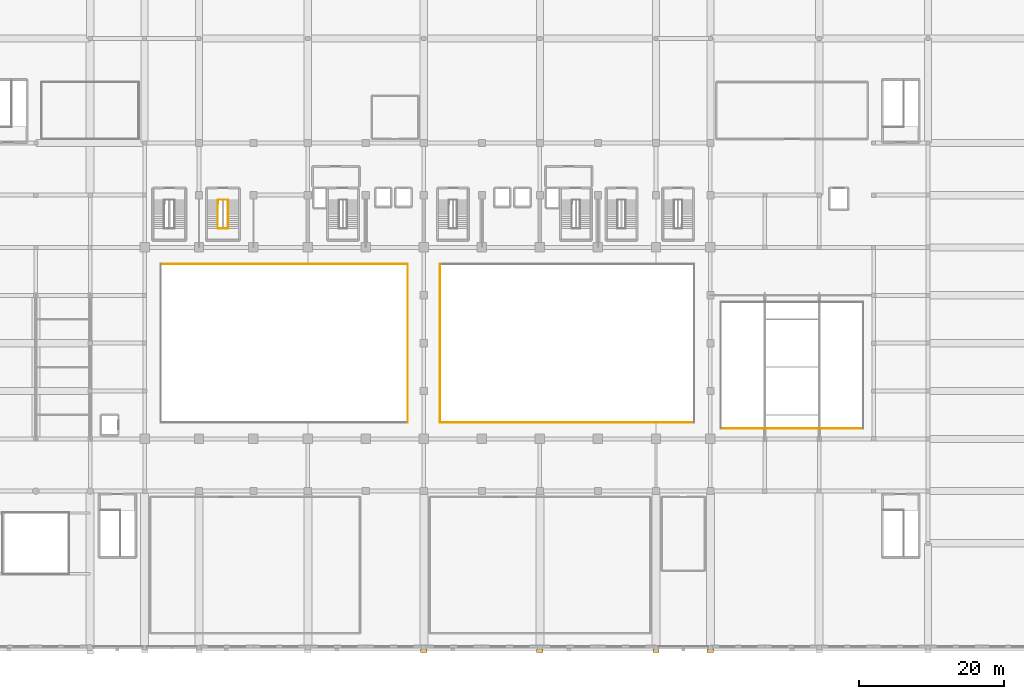
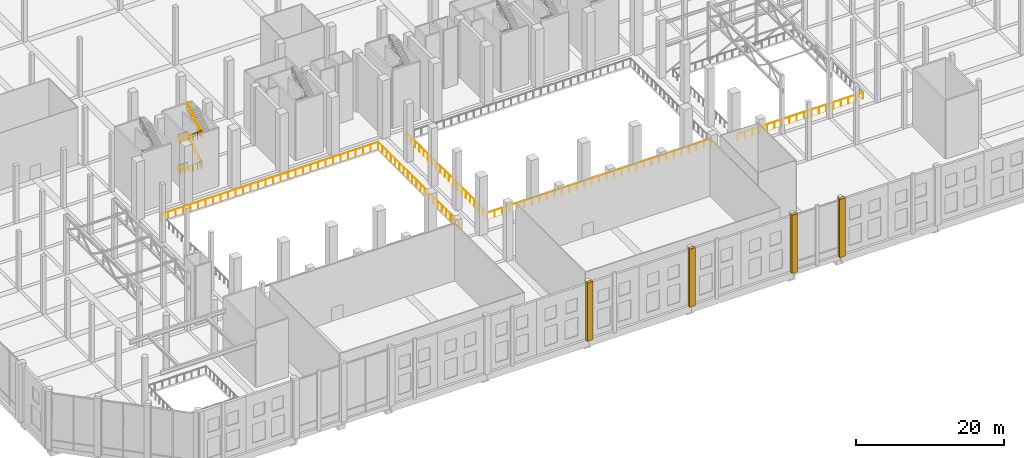
# One storey, part 77 of 80: 13 railings, 4 coverings.
"""IFC4 building model written with IfcOpenShell, lengths in metres."""

from ifc_helpers import new_model, si_unit, direction, frame, origin, origin_2d, place, context, subcontext, project, spatial, rectangle, circle, extrude, material, layer, layer_set, type_object, element, save


model = new_model("IFC4")

# Units and contexts
model_context = context("Model", 3, precision=1e-05, world=origin(), true_north=direction((0.0, 1.0)))
body_context = subcontext(model_context, "Body", "Model", "MODEL_VIEW")
ifc_project = project(units=[si_unit("LENGTHUNIT", "METRE"), si_unit("AREAUNIT", "SQUARE_METRE"), si_unit("VOLUMEUNIT", "CUBIC_METRE"), si_unit("PLANEANGLEUNIT", "RADIAN"), si_unit("MASSUNIT", "GRAM", prefix="KILO")], contexts=[model_context])

# Site, building, storey
site_placement = place(None, origin())
site = spatial("IfcSite", under=ifc_project, at=site_placement, CompositionType="ELEMENT")
building_placement = place(site_placement, origin())
building = spatial("IfcBuilding", under=site, at=building_placement, Name="Akrevak Sports Hall", CompositionType="ELEMENT")
storey_placement = place(building_placement, frame((0.0, 0.0, 14.0)))
storey = spatial("IfcBuildingStorey", under=building, at=storey_placement, Name="L03", CompositionType="ELEMENT", Elevation=14.0)

# Coverings
ifc_material_1 = material(Name="Limestone Ashlar", Category="stone")
ifc_layer_1 = layer(ifc_material_1, 0.47998046875, Name="Limestone Ashlar")
ifc_layer_set_1 = layer_set([ifc_layer_1], Name="Limestone Ashlar")
covering_type = type_object("IfcCoveringType", Name="ARC-COV-PIL-LIM", PredefinedType="CLADDING", material=ifc_layer_set_1)
for number, where, z_axis, x_axis, name in (
    (1, (76.0, -0.449951171875, 0.0), (0.0, 0.0, 1.0), (1.0, 0.0, 0.0), "Giant-Order Limestone Pilaster L03-01-06"),
    (2, (92.0, -0.449951171875, 0.0), (0.0, 0.0, 1.0), (1.0, 0.0, 0.0), "Giant-Order Limestone Pilaster L03-01-07"),
    (3, (108.0, -0.449951171875, 0.0), (0.0, 0.0, 1.0), (1.0, 0.0, 0.0), "Giant-Order Limestone Pilaster L03-01-08"),
    (4, (115.5, -0.425048828125, 0.0), (0.0, 0.0, 1.0), (1.0, 0.0, 0.0), "Giant-Order Limestone Pilaster L03-01-09"),
):
    element("IfcCovering", number, at=place(storey_placement, frame(where, z_axis=z_axis, x_axis=x_axis)), inside=storey, type_object=covering_type, Name=name, PredefinedType="CLADDING", context=body_context, shape_type="SweptSolid", body=[
        extrude(rectangle(XDim=0.8798828125, YDim=0.4599609375, at=origin_2d()), origin(), (0.0, 0.0, 1.0), 9.64990234375),
    ])

# Railings
ifc_material_2 = material(Name="Painted Architectural Balustrade Steel", Category="steel")
ifc_layer_2 = layer(ifc_material_2, 0.06005859375, Name="Painted Architectural Balustrade Steel")
ifc_layer_set_2 = layer_set([ifc_layer_2], Name="Painted Architectural Balustrade Steel")
railing_type_1 = type_object("IfcRailingType", Name="ARC-RL-GRD-1120", PredefinedType="GUARDRAIL", material=ifc_layer_set_2)
railing_1_placement = place(storey_placement, frame((47.6201171875, 61.215087890625, 0.0)))
element("IfcRailing", 5, at=railing_1_placement, inside=storey, type_object=railing_type_1, Name="Stair Floor Landing Well Guard ST4 (L03)", PredefinedType="GUARDRAIL", context=body_context, shape_type="SweptSolid", body=[
    extrude(circle(Radius=0.02392578125, at=origin_2d()), frame((0.0, 0.0, 1.09619140625), z_axis=(0.0, 1.0, 0.0), x_axis=(-1.0, 0.0, 0.0)), (0.0, 0.0, 1.0), 0.5498046875),
    extrude(circle(Radius=0.02392578125, at=origin_2d()), frame((0.0, 0.5498046875, 1.09619140625), z_axis=(1.0, 0.0, 0.0), x_axis=(0.0, 1.0, 0.0)), (0.0, 0.0, 1.0), 1.389892578125),
    extrude(circle(Radius=0.02099609375, at=origin_2d()), origin(), (0.0, 0.0, 1.0), 1.072021484375),
    extrude(circle(Radius=0.02099609375, at=origin_2d()), frame((0.0, 0.5498046875, 0.0)), (0.0, 0.0, 1.0), 1.072021484375),
    extrude(circle(Radius=0.02099609375, at=origin_2d()), frame((0.69482421875, 0.5498046875, 0.0)), (0.0, 0.0, 1.0), 1.072021484375),
    extrude(circle(Radius=0.02099609375, at=origin_2d()), frame((1.389892578125, 0.5498046875, 0.0)), (0.0, 0.0, 1.0), 1.072021484375),
])
railing_2_placement = place(storey_placement, frame((47.590087890625, 57.784912109375, 2.53759765625)))
element("IfcRailing", 6, at=railing_2_placement, inside=storey, type_object=railing_type_1, Name="Stair Landing Well Guard ST4-L03-1", PredefinedType="GUARDRAIL", context=body_context, shape_type="SweptSolid", body=[
    extrude(circle(Radius=0.02392578125, at=origin_2d()), frame((0.0, 0.0, 1.09619140625), z_axis=(1.0, 0.0, 0.0), x_axis=(0.0, 1.0, 0.0)), (0.0, 0.0, 1.0), 1.389892578125),
    extrude(circle(Radius=0.02392578125, at=origin_2d()), frame((1.389892578125, 0.0, 1.09619140625), z_axis=(0.0, 1.0, 0.0), x_axis=(-1.0, 0.0, 0.0)), (0.0, 0.0, 1.0), 0.52001953125),
    extrude(circle(Radius=0.02099609375, at=origin_2d()), origin(), (0.0, 0.0, 1.0), 1.072021484375),
    extrude(circle(Radius=0.02099609375, at=origin_2d()), frame((0.69482421875, 0.0, 0.0)), (0.0, 0.0, 1.0), 1.072021484375),
    extrude(circle(Radius=0.02099609375, at=origin_2d()), frame((1.389892578125, 0.0, 0.0)), (0.0, 0.0, 1.0), 1.072021484375),
    extrude(circle(Radius=0.02099609375, at=origin_2d()), frame((1.389892578125, 0.52001953125, 0.0)), (0.0, 0.0, 1.0), 1.072021484375),
])
railing_3_placement = place(storey_placement, frame((47.6201171875, 61.2451171875, 5.074951171875)))
element("IfcRailing", 7, at=railing_3_placement, inside=storey, type_object=railing_type_1, Name="Stair Landing Well Guard ST4-L03-2", PredefinedType="GUARDRAIL", context=body_context, shape_type="SweptSolid", body=[
    extrude(circle(Radius=0.02392578125, at=origin_2d()), frame((0.0, 0.0, 1.09619140625), z_axis=(0.0, 1.0, 0.0), x_axis=(-1.0, 0.0, 0.0)), (0.0, 0.0, 1.0), 0.519775390625),
    extrude(circle(Radius=0.02392578125, at=origin_2d()), frame((0.0, 0.519775390625, 1.09619140625), z_axis=(1.0, 0.0, 0.0), x_axis=(0.0, 1.0, 0.0)), (0.0, 0.0, 1.0), 1.389892578125),
    extrude(circle(Radius=0.02099609375, at=origin_2d()), origin(), (0.0, 0.0, 1.0), 1.072021484375),
    extrude(circle(Radius=0.02099609375, at=origin_2d()), frame((0.0, 0.519775390625, 0.0)), (0.0, 0.0, 1.0), 1.072021484375),
    extrude(circle(Radius=0.02099609375, at=origin_2d()), frame((0.69482421875, 0.519775390625, 0.0)), (0.0, 0.0, 1.0), 1.072021484375),
    extrude(circle(Radius=0.02099609375, at=origin_2d()), frame((1.389892578125, 0.519775390625, 0.0)), (0.0, 0.0, 1.0), 1.072021484375),
])
railing_4_placement = place(storey_placement, frame((47.590087890625, 57.784912109375, 7.612548828125)))
element("IfcRailing", 8, at=railing_4_placement, inside=storey, type_object=railing_type_1, Name="Stair Landing Well Guard ST4-L03-3", PredefinedType="GUARDRAIL", context=body_context, shape_type="SweptSolid", body=[
    extrude(circle(Radius=0.02392578125, at=origin_2d()), frame((0.0, 0.0, 1.09619140625), z_axis=(1.0, 0.0, 0.0), x_axis=(0.0, 1.0, 0.0)), (0.0, 0.0, 1.0), 1.389892578125),
    extrude(circle(Radius=0.02392578125, at=origin_2d()), frame((1.389892578125, 0.0, 1.09619140625), z_axis=(0.0, 1.0, 0.0), x_axis=(-1.0, 0.0, 0.0)), (0.0, 0.0, 1.0), 0.52001953125),
    extrude(circle(Radius=0.02099609375, at=origin_2d()), origin(), (0.0, 0.0, 1.0), 1.072021484375),
    extrude(circle(Radius=0.02099609375, at=origin_2d()), frame((0.69482421875, 0.0, 0.0)), (0.0, 0.0, 1.0), 1.072021484375),
    extrude(circle(Radius=0.02099609375, at=origin_2d()), frame((1.389892578125, 0.0, 0.0)), (0.0, 0.0, 1.0), 1.072021484375),
    extrude(circle(Radius=0.02099609375, at=origin_2d()), frame((1.389892578125, 0.52001953125, 0.0)), (0.0, 0.0, 1.0), 1.072021484375),
])
ifc_material_3 = material(Name="Anodized Bronze Aluminium & Laminated Glass", Category="aluminium")
ifc_layer_3 = layer(ifc_material_3, 0.080078125, Name="Anodized Bronze Aluminium & Laminated Glass")
ifc_layer_set_3 = layer_set([ifc_layer_3], Name="Anodized Bronze Aluminium & Laminated Glass")
railing_type_2 = type_object("IfcRailingType", Name="ARC-RL-GRD-1150", PredefinedType="GUARDRAIL", material=ifc_layer_set_3)
railing_5_placement = place(storey_placement, frame((73.780029296875, 52.929931640625, 0.0)))
element("IfcRailing", 9, at=railing_5_placement, inside=storey, type_object=railing_type_2, Name="Atrium/Arena Gallery Guardrail L03-BB2-N", PredefinedType="GUARDRAIL", context=body_context, shape_type="SweptSolid", body=[
    extrude(circle(Radius=0.02392578125, at=origin_2d()), frame((0.0, 0.0, 1.1259765625), z_axis=(-1.0, 0.0, 0.0), x_axis=(0.0, -1.0, 0.0)), (0.0, 0.0, 1.0), 34.06005859375),
    extrude(circle(Radius=0.02099609375, at=origin_2d()), origin(), (0.0, 0.0, 1.0), 1.101806640625),
    extrude(circle(Radius=0.02099609375, at=origin_2d()), frame((-1.174560546875, 0.0, 0.0)), (0.0, 0.0, 1.0), 1.101806640625),
    extrude(circle(Radius=0.02099609375, at=origin_2d()), frame((-2.348876953125, 0.0, 0.0)), (0.0, 0.0, 1.0), 1.101806640625),
    extrude(circle(Radius=0.02099609375, at=origin_2d()), frame((-3.5234375, 0.0, 0.0)), (0.0, 0.0, 1.0), 1.101806640625),
    extrude(circle(Radius=0.02099609375, at=origin_2d()), frame((-4.697998046875, 0.0, 0.0)), (0.0, 0.0, 1.0), 1.101806640625),
    extrude(circle(Radius=0.02099609375, at=origin_2d()), frame((-5.872314453125, 0.0, 0.0)), (0.0, 0.0, 1.0), 1.101806640625),
    extrude(circle(Radius=0.02099609375, at=origin_2d()), frame((-7.046875, 0.0, 0.0)), (0.0, 0.0, 1.0), 1.101806640625),
    extrude(circle(Radius=0.02099609375, at=origin_2d()), frame((-8.221435546875, 0.0, 0.0)), (0.0, 0.0, 1.0), 1.101806640625),
    extrude(circle(Radius=0.02099609375, at=origin_2d()), frame((-9.39599609375, 0.0, 0.0)), (0.0, 0.0, 1.0), 1.101806640625),
    extrude(circle(Radius=0.02099609375, at=origin_2d()), frame((-10.5703125, 0.0, 0.0)), (0.0, 0.0, 1.0), 1.101806640625),
    extrude(circle(Radius=0.02099609375, at=origin_2d()), frame((-11.744873046875, 0.0, 0.0)), (0.0, 0.0, 1.0), 1.101806640625),
    extrude(circle(Radius=0.02099609375, at=origin_2d()), frame((-12.91943359375, 0.0, 0.0)), (0.0, 0.0, 1.0), 1.101806640625),
    extrude(circle(Radius=0.02099609375, at=origin_2d()), frame((-14.09375, 0.0, 0.0)), (0.0, 0.0, 1.0), 1.101806640625),
    extrude(circle(Radius=0.02099609375, at=origin_2d()), frame((-15.268310546875, 0.0, 0.0)), (0.0, 0.0, 1.0), 1.101806640625),
    extrude(circle(Radius=0.02099609375, at=origin_2d()), frame((-16.44287109375, 0.0, 0.0)), (0.0, 0.0, 1.0), 1.101806640625),
    extrude(circle(Radius=0.02099609375, at=origin_2d()), frame((-17.6171875, 0.0, 0.0)), (0.0, 0.0, 1.0), 1.101806640625),
    extrude(circle(Radius=0.02099609375, at=origin_2d()), frame((-18.791748046875, 0.0, 0.0)), (0.0, 0.0, 1.0), 1.101806640625),
    extrude(circle(Radius=0.02099609375, at=origin_2d()), frame((-19.96630859375, 0.0, 0.0)), (0.0, 0.0, 1.0), 1.101806640625),
    extrude(circle(Radius=0.02099609375, at=origin_2d()), frame((-21.140625, 0.0, 0.0)), (0.0, 0.0, 1.0), 1.101806640625),
    extrude(circle(Radius=0.02099609375, at=origin_2d()), frame((-22.315185546875, 0.0, 0.0)), (0.0, 0.0, 1.0), 1.101806640625),
    extrude(circle(Radius=0.02099609375, at=origin_2d()), frame((-23.48974609375, 0.0, 0.0)), (0.0, 0.0, 1.0), 1.101806640625),
    extrude(circle(Radius=0.02099609375, at=origin_2d()), frame((-24.6640625, 0.0, 0.0)), (0.0, 0.0, 1.0), 1.101806640625),
    extrude(circle(Radius=0.02099609375, at=origin_2d()), frame((-25.838623046875, 0.0, 0.0)), (0.0, 0.0, 1.0), 1.101806640625),
    extrude(circle(Radius=0.02099609375, at=origin_2d()), frame((-27.01318359375, 0.0, 0.0)), (0.0, 0.0, 1.0), 1.101806640625),
    extrude(circle(Radius=0.02099609375, at=origin_2d()), frame((-28.187744140625, 0.0, 0.0)), (0.0, 0.0, 1.0), 1.101806640625),
    extrude(circle(Radius=0.02099609375, at=origin_2d()), frame((-29.362060546875, 0.0, 0.0)), (0.0, 0.0, 1.0), 1.101806640625),
    extrude(circle(Radius=0.02099609375, at=origin_2d()), frame((-30.53662109375, 0.0, 0.0)), (0.0, 0.0, 1.0), 1.101806640625),
    extrude(circle(Radius=0.02099609375, at=origin_2d()), frame((-31.711181640625, 0.0, 0.0)), (0.0, 0.0, 1.0), 1.101806640625),
    extrude(circle(Radius=0.02099609375, at=origin_2d()), frame((-32.885498046875, 0.0, 0.0)), (0.0, 0.0, 1.0), 1.101806640625),
    extrude(circle(Radius=0.02099609375, at=origin_2d()), frame((-34.06005859375, 0.0, 0.0)), (0.0, 0.0, 1.0), 1.101806640625),
])
railing_6_placement = place(storey_placement, frame((73.780029296875, 31.070068359375, 0.0)))
element("IfcRailing", 10, at=railing_6_placement, inside=storey, type_object=railing_type_2, Name="Atrium/Arena Gallery Guardrail L03-BB2-E", PredefinedType="GUARDRAIL", context=body_context, shape_type="SweptSolid", body=[
    extrude(circle(Radius=0.02392578125, at=origin_2d()), frame((0.0, 0.0, 1.1259765625), z_axis=(0.0, 1.0, 0.0), x_axis=(-1.0, 0.0, 0.0)), (0.0, 0.0, 1.0), 21.85986328125),
    extrude(circle(Radius=0.02099609375, at=origin_2d()), origin(), (0.0, 0.0, 1.0), 1.101806640625),
    extrude(circle(Radius=0.02099609375, at=origin_2d()), frame((0.0, 1.150634765625, 0.0)), (0.0, 0.0, 1.0), 1.101806640625),
    extrude(circle(Radius=0.02099609375, at=origin_2d()), frame((0.0, 2.301025390625, 0.0)), (0.0, 0.0, 1.0), 1.101806640625),
    extrude(circle(Radius=0.02099609375, at=origin_2d()), frame((0.0, 3.45166015625, 0.0)), (0.0, 0.0, 1.0), 1.101806640625),
    extrude(circle(Radius=0.02099609375, at=origin_2d()), frame((0.0, 4.60205078125, 0.0)), (0.0, 0.0, 1.0), 1.101806640625),
    extrude(circle(Radius=0.02099609375, at=origin_2d()), frame((0.0, 5.752685546875, 0.0)), (0.0, 0.0, 1.0), 1.101806640625),
    extrude(circle(Radius=0.02099609375, at=origin_2d()), frame((0.0, 6.903076171875, 0.0)), (0.0, 0.0, 1.0), 1.101806640625),
    extrude(circle(Radius=0.02099609375, at=origin_2d()), frame((0.0, 8.0537109375, 0.0)), (0.0, 0.0, 1.0), 1.101806640625),
    extrude(circle(Radius=0.02099609375, at=origin_2d()), frame((0.0, 9.2041015625, 0.0)), (0.0, 0.0, 1.0), 1.101806640625),
    extrude(circle(Radius=0.02099609375, at=origin_2d()), frame((0.0, 10.354736328125, 0.0)), (0.0, 0.0, 1.0), 1.101806640625),
    extrude(circle(Radius=0.02099609375, at=origin_2d()), frame((0.0, 11.505126953125, 0.0)), (0.0, 0.0, 1.0), 1.101806640625),
    extrude(circle(Radius=0.02099609375, at=origin_2d()), frame((0.0, 12.65576171875, 0.0)), (0.0, 0.0, 1.0), 1.101806640625),
    extrude(circle(Radius=0.02099609375, at=origin_2d()), frame((0.0, 13.80615234375, 0.0)), (0.0, 0.0, 1.0), 1.101806640625),
    extrude(circle(Radius=0.02099609375, at=origin_2d()), frame((0.0, 14.956787109375, 0.0)), (0.0, 0.0, 1.0), 1.101806640625),
    extrude(circle(Radius=0.02099609375, at=origin_2d()), frame((0.0, 16.107177734375, 0.0)), (0.0, 0.0, 1.0), 1.101806640625),
    extrude(circle(Radius=0.02099609375, at=origin_2d()), frame((0.0, 17.2578125, 0.0)), (0.0, 0.0, 1.0), 1.101806640625),
    extrude(circle(Radius=0.02099609375, at=origin_2d()), frame((0.0, 18.408203125, 0.0)), (0.0, 0.0, 1.0), 1.101806640625),
    extrude(circle(Radius=0.02099609375, at=origin_2d()), frame((0.0, 19.558837890625, 0.0)), (0.0, 0.0, 1.0), 1.101806640625),
    extrude(circle(Radius=0.02099609375, at=origin_2d()), frame((0.0, 20.709228515625, 0.0)), (0.0, 0.0, 1.0), 1.101806640625),
    extrude(circle(Radius=0.02099609375, at=origin_2d()), frame((0.0, 21.85986328125, 0.0)), (0.0, 0.0, 1.0), 1.101806640625),
])
railing_7_placement = place(storey_placement, frame((78.219970703125, 31.070068359375, 0.0)))
element("IfcRailing", 11, at=railing_7_placement, inside=storey, type_object=railing_type_2, Name="Atrium/Arena Gallery Guardrail L03-VB3-S", PredefinedType="GUARDRAIL", context=body_context, shape_type="SweptSolid", body=[
    extrude(circle(Radius=0.02392578125, at=origin_2d()), frame((0.0, 0.0, 1.1259765625), z_axis=(1.0, 0.0, 0.0), x_axis=(0.0, 1.0, 0.0)), (0.0, 0.0, 1.0), 35.06005859375),
    extrude(circle(Radius=0.02099609375, at=origin_2d()), origin(), (0.0, 0.0, 1.0), 1.101806640625),
    extrude(circle(Radius=0.02099609375, at=origin_2d()), frame((1.168701171875, 0.0, 0.0)), (0.0, 0.0, 1.0), 1.101806640625),
    extrude(circle(Radius=0.02099609375, at=origin_2d()), frame((2.33740234375, 0.0, 0.0)), (0.0, 0.0, 1.0), 1.101806640625),
    extrude(circle(Radius=0.02099609375, at=origin_2d()), frame((3.506103515625, 0.0, 0.0)), (0.0, 0.0, 1.0), 1.101806640625),
    extrude(circle(Radius=0.02099609375, at=origin_2d()), frame((4.674560546875, 0.0, 0.0)), (0.0, 0.0, 1.0), 1.101806640625),
    extrude(circle(Radius=0.02099609375, at=origin_2d()), frame((5.84326171875, 0.0, 0.0)), (0.0, 0.0, 1.0), 1.101806640625),
    extrude(circle(Radius=0.02099609375, at=origin_2d()), frame((7.011962890625, 0.0, 0.0)), (0.0, 0.0, 1.0), 1.101806640625),
    extrude(circle(Radius=0.02099609375, at=origin_2d()), frame((8.1806640625, 0.0, 0.0)), (0.0, 0.0, 1.0), 1.101806640625),
    extrude(circle(Radius=0.02099609375, at=origin_2d()), frame((9.349365234375, 0.0, 0.0)), (0.0, 0.0, 1.0), 1.101806640625),
    extrude(circle(Radius=0.02099609375, at=origin_2d()), frame((10.51806640625, 0.0, 0.0)), (0.0, 0.0, 1.0), 1.101806640625),
    extrude(circle(Radius=0.02099609375, at=origin_2d()), frame((11.686767578125, 0.0, 0.0)), (0.0, 0.0, 1.0), 1.101806640625),
    extrude(circle(Radius=0.02099609375, at=origin_2d()), frame((12.85546875, 0.0, 0.0)), (0.0, 0.0, 1.0), 1.101806640625),
    extrude(circle(Radius=0.02099609375, at=origin_2d()), frame((14.02392578125, 0.0, 0.0)), (0.0, 0.0, 1.0), 1.101806640625),
    extrude(circle(Radius=0.02099609375, at=origin_2d()), frame((15.192626953125, 0.0, 0.0)), (0.0, 0.0, 1.0), 1.101806640625),
    extrude(circle(Radius=0.02099609375, at=origin_2d()), frame((16.361328125, 0.0, 0.0)), (0.0, 0.0, 1.0), 1.101806640625),
    extrude(circle(Radius=0.02099609375, at=origin_2d()), frame((17.530029296875, 0.0, 0.0)), (0.0, 0.0, 1.0), 1.101806640625),
    extrude(circle(Radius=0.02099609375, at=origin_2d()), frame((18.69873046875, 0.0, 0.0)), (0.0, 0.0, 1.0), 1.101806640625),
    extrude(circle(Radius=0.02099609375, at=origin_2d()), frame((19.867431640625, 0.0, 0.0)), (0.0, 0.0, 1.0), 1.101806640625),
    extrude(circle(Radius=0.02099609375, at=origin_2d()), frame((21.0361328125, 0.0, 0.0)), (0.0, 0.0, 1.0), 1.101806640625),
    extrude(circle(Radius=0.02099609375, at=origin_2d()), frame((22.20458984375, 0.0, 0.0)), (0.0, 0.0, 1.0), 1.101806640625),
    extrude(circle(Radius=0.02099609375, at=origin_2d()), frame((23.373291015625, 0.0, 0.0)), (0.0, 0.0, 1.0), 1.101806640625),
    extrude(circle(Radius=0.02099609375, at=origin_2d()), frame((24.5419921875, 0.0, 0.0)), (0.0, 0.0, 1.0), 1.101806640625),
    extrude(circle(Radius=0.02099609375, at=origin_2d()), frame((25.710693359375, 0.0, 0.0)), (0.0, 0.0, 1.0), 1.101806640625),
    extrude(circle(Radius=0.02099609375, at=origin_2d()), frame((26.87939453125, 0.0, 0.0)), (0.0, 0.0, 1.0), 1.101806640625),
    extrude(circle(Radius=0.02099609375, at=origin_2d()), frame((28.048095703125, 0.0, 0.0)), (0.0, 0.0, 1.0), 1.101806640625),
    extrude(circle(Radius=0.02099609375, at=origin_2d()), frame((29.216796875, 0.0, 0.0)), (0.0, 0.0, 1.0), 1.101806640625),
    extrude(circle(Radius=0.02099609375, at=origin_2d()), frame((30.385498046875, 0.0, 0.0)), (0.0, 0.0, 1.0), 1.101806640625),
    extrude(circle(Radius=0.02099609375, at=origin_2d()), frame((31.553955078125, 0.0, 0.0)), (0.0, 0.0, 1.0), 1.101806640625),
    extrude(circle(Radius=0.02099609375, at=origin_2d()), frame((32.72265625, 0.0, 0.0)), (0.0, 0.0, 1.0), 1.101806640625),
    extrude(circle(Radius=0.02099609375, at=origin_2d()), frame((33.891357421875, 0.0, 0.0)), (0.0, 0.0, 1.0), 1.101806640625),
    extrude(circle(Radius=0.02099609375, at=origin_2d()), frame((35.06005859375, 0.0, 0.0)), (0.0, 0.0, 1.0), 1.101806640625),
])
railing_8_placement = place(storey_placement, frame((78.219970703125, 52.929931640625, 0.0)))
element("IfcRailing", 12, at=railing_8_placement, inside=storey, type_object=railing_type_2, Name="Atrium/Arena Gallery Guardrail L03-VB3-W", PredefinedType="GUARDRAIL", context=body_context, shape_type="SweptSolid", body=[
    extrude(circle(Radius=0.02392578125, at=origin_2d()), frame((0.0, 0.0, 1.1259765625), z_axis=(0.0, -1.0, 0.0), x_axis=(1.0, 0.0, 0.0)), (0.0, 0.0, 1.0), 21.85986328125),
    extrude(circle(Radius=0.02099609375, at=origin_2d()), origin(), (0.0, 0.0, 1.0), 1.101806640625),
    extrude(circle(Radius=0.02099609375, at=origin_2d()), frame((0.0, -1.150634765625, 0.0)), (0.0, 0.0, 1.0), 1.101806640625),
    extrude(circle(Radius=0.02099609375, at=origin_2d()), frame((0.0, -2.301025390625, 0.0)), (0.0, 0.0, 1.0), 1.101806640625),
    extrude(circle(Radius=0.02099609375, at=origin_2d()), frame((0.0, -3.45166015625, 0.0)), (0.0, 0.0, 1.0), 1.101806640625),
    extrude(circle(Radius=0.02099609375, at=origin_2d()), frame((0.0, -4.60205078125, 0.0)), (0.0, 0.0, 1.0), 1.101806640625),
    extrude(circle(Radius=0.02099609375, at=origin_2d()), frame((0.0, -5.752685546875, 0.0)), (0.0, 0.0, 1.0), 1.101806640625),
    extrude(circle(Radius=0.02099609375, at=origin_2d()), frame((0.0, -6.903076171875, 0.0)), (0.0, 0.0, 1.0), 1.101806640625),
    extrude(circle(Radius=0.02099609375, at=origin_2d()), frame((0.0, -8.0537109375, 0.0)), (0.0, 0.0, 1.0), 1.101806640625),
    extrude(circle(Radius=0.02099609375, at=origin_2d()), frame((0.0, -9.2041015625, 0.0)), (0.0, 0.0, 1.0), 1.101806640625),
    extrude(circle(Radius=0.02099609375, at=origin_2d()), frame((0.0, -10.354736328125, 0.0)), (0.0, 0.0, 1.0), 1.101806640625),
    extrude(circle(Radius=0.02099609375, at=origin_2d()), frame((0.0, -11.505126953125, 0.0)), (0.0, 0.0, 1.0), 1.101806640625),
    extrude(circle(Radius=0.02099609375, at=origin_2d()), frame((0.0, -12.65576171875, 0.0)), (0.0, 0.0, 1.0), 1.101806640625),
    extrude(circle(Radius=0.02099609375, at=origin_2d()), frame((0.0, -13.80615234375, 0.0)), (0.0, 0.0, 1.0), 1.101806640625),
    extrude(circle(Radius=0.02099609375, at=origin_2d()), frame((0.0, -14.956787109375, 0.0)), (0.0, 0.0, 1.0), 1.101806640625),
    extrude(circle(Radius=0.02099609375, at=origin_2d()), frame((0.0, -16.107177734375, 0.0)), (0.0, 0.0, 1.0), 1.101806640625),
    extrude(circle(Radius=0.02099609375, at=origin_2d()), frame((0.0, -17.2578125, 0.0)), (0.0, 0.0, 1.0), 1.101806640625),
    extrude(circle(Radius=0.02099609375, at=origin_2d()), frame((0.0, -18.408203125, 0.0)), (0.0, 0.0, 1.0), 1.101806640625),
    extrude(circle(Radius=0.02099609375, at=origin_2d()), frame((0.0, -19.558837890625, 0.0)), (0.0, 0.0, 1.0), 1.101806640625),
    extrude(circle(Radius=0.02099609375, at=origin_2d()), frame((0.0, -20.709228515625, 0.0)), (0.0, 0.0, 1.0), 1.101806640625),
    extrude(circle(Radius=0.02099609375, at=origin_2d()), frame((0.0, -21.85986328125, 0.0)), (0.0, 0.0, 1.0), 1.101806640625),
])
railing_9_placement = place(storey_placement, frame((116.919921875, 30.219970703125, 0.0)))
element("IfcRailing", 13, at=railing_9_placement, inside=storey, type_object=railing_type_2, Name="Atrium/Arena Gallery Guardrail L03-CLM-S", PredefinedType="GUARDRAIL", context=body_context, shape_type="SweptSolid", body=[
    extrude(circle(Radius=0.02392578125, at=origin_2d()), frame((0.0, 0.0, 1.1259765625), z_axis=(1.0, 0.0, 0.0), x_axis=(0.0, 1.0, 0.0)), (0.0, 0.0, 1.0), 19.66015625),
    extrude(circle(Radius=0.02099609375, at=origin_2d()), origin(), (0.0, 0.0, 1.0), 1.101806640625),
    extrude(circle(Radius=0.02099609375, at=origin_2d()), frame((1.156494140625, 0.0, 0.0)), (0.0, 0.0, 1.0), 1.101806640625),
    extrude(circle(Radius=0.02099609375, at=origin_2d()), frame((2.31298828125, 0.0, 0.0)), (0.0, 0.0, 1.0), 1.101806640625),
    extrude(circle(Radius=0.02099609375, at=origin_2d()), frame((3.469482421875, 0.0, 0.0)), (0.0, 0.0, 1.0), 1.101806640625),
    extrude(circle(Radius=0.02099609375, at=origin_2d()), frame((4.6259765625, 0.0, 0.0)), (0.0, 0.0, 1.0), 1.101806640625),
    extrude(circle(Radius=0.02099609375, at=origin_2d()), frame((5.782470703125, 0.0, 0.0)), (0.0, 0.0, 1.0), 1.101806640625),
    extrude(circle(Radius=0.02099609375, at=origin_2d()), frame((6.93896484375, 0.0, 0.0)), (0.0, 0.0, 1.0), 1.101806640625),
    extrude(circle(Radius=0.02099609375, at=origin_2d()), frame((8.095458984375, 0.0, 0.0)), (0.0, 0.0, 1.0), 1.101806640625),
    extrude(circle(Radius=0.02099609375, at=origin_2d()), frame((9.251953125, 0.0, 0.0)), (0.0, 0.0, 1.0), 1.101806640625),
    extrude(circle(Radius=0.02099609375, at=origin_2d()), frame((10.408203125, 0.0, 0.0)), (0.0, 0.0, 1.0), 1.101806640625),
    extrude(circle(Radius=0.02099609375, at=origin_2d()), frame((11.564697265625, 0.0, 0.0)), (0.0, 0.0, 1.0), 1.101806640625),
    extrude(circle(Radius=0.02099609375, at=origin_2d()), frame((12.72119140625, 0.0, 0.0)), (0.0, 0.0, 1.0), 1.101806640625),
    extrude(circle(Radius=0.02099609375, at=origin_2d()), frame((13.877685546875, 0.0, 0.0)), (0.0, 0.0, 1.0), 1.101806640625),
    extrude(circle(Radius=0.02099609375, at=origin_2d()), frame((15.0341796875, 0.0, 0.0)), (0.0, 0.0, 1.0), 1.101806640625),
    extrude(circle(Radius=0.02099609375, at=origin_2d()), frame((16.190673828125, 0.0, 0.0)), (0.0, 0.0, 1.0), 1.101806640625),
    extrude(circle(Radius=0.02099609375, at=origin_2d()), frame((17.34716796875, 0.0, 0.0)), (0.0, 0.0, 1.0), 1.101806640625),
    extrude(circle(Radius=0.02099609375, at=origin_2d()), frame((18.503662109375, 0.0, 0.0)), (0.0, 0.0, 1.0), 1.101806640625),
    extrude(circle(Radius=0.02099609375, at=origin_2d()), frame((19.66015625, 0.0, 0.0)), (0.0, 0.0, 1.0), 1.101806640625),
])
ifc_material_4 = material(Name="Brushed Stainless Steel 304", Category="steel")
ifc_layer_4 = layer(ifc_material_4, 0.050048828125, Name="Brushed Stainless Steel 304")
ifc_layer_set_4 = layer_set([ifc_layer_4], Name="Brushed Stainless Steel 304")
railing_type_3 = type_object("IfcRailingType", Name="ARC-RL-HND-900", PredefinedType="HANDRAIL", material=ifc_layer_set_4)
railing_10_placement = place(storey_placement, frame((47.590087890625, 61.735107421875, 0.0)))
element("IfcRailing", 14, at=railing_10_placement, inside=storey, type_object=railing_type_3, Name="Stair Handrail ST4-L03-F1", PredefinedType="HANDRAIL", context=body_context, shape_type="SweptSolid", body=[
    extrude(circle(Radius=0.02392578125, at=origin_2d()), frame((0.0, 0.0, 0.8759765625), z_axis=(0.0, -0.839470554764, 0.543405178191), x_axis=(1.0, 0.0, 0.0)), (0.0, 0.0, 1.0), 4.669921875),
    extrude(circle(Radius=0.02099609375, at=origin_2d()), origin(), (0.0, 0.0, 1.0), 0.851806640625),
    extrude(circle(Radius=0.02099609375, at=origin_2d()), frame((0.0, -0.97998046875, 0.63427734375)), (0.0, 0.0, 1.0), 0.851806640625),
    extrude(circle(Radius=0.02099609375, at=origin_2d()), frame((0.0, -1.9599609375, 1.268798828125)), (0.0, 0.0, 1.0), 0.851806640625),
    extrude(circle(Radius=0.02099609375, at=origin_2d()), frame((0.0, -2.940185546875, 1.9033203125)), (0.0, 0.0, 1.0), 0.851806640625),
    extrude(circle(Radius=0.02099609375, at=origin_2d()), frame((0.0, -3.920166015625, 2.53759765625)), (0.0, 0.0, 1.0), 0.851806640625),
])
railing_11_placement = place(storey_placement, frame((49.010009765625, 57.81494140625, 2.53759765625)))
element("IfcRailing", 15, at=railing_11_placement, inside=storey, type_object=railing_type_3, Name="Stair Handrail ST4-L03-F2", PredefinedType="HANDRAIL", context=body_context, shape_type="SweptSolid", body=[
    extrude(circle(Radius=0.02392578125, at=origin_2d()), frame((0.0, 0.0, 0.8759765625), z_axis=(0.0, 0.83949440364, 0.543368333875), x_axis=(-1.0, 0.0, 0.0)), (0.0, 0.0, 1.0), 4.669677734375),
    extrude(circle(Radius=0.02099609375, at=origin_2d()), origin(), (0.0, 0.0, 1.0), 0.851806640625),
    extrude(circle(Radius=0.02099609375, at=origin_2d()), frame((0.0, 0.97998046875, 0.63427734375)), (0.0, 0.0, 1.0), 0.851806640625),
    extrude(circle(Radius=0.02099609375, at=origin_2d()), frame((0.0, 1.9599609375, 1.2685546875)), (0.0, 0.0, 1.0), 0.851806640625),
    extrude(circle(Radius=0.02099609375, at=origin_2d()), frame((0.0, 2.940185546875, 1.903076171875)), (0.0, 0.0, 1.0), 0.851806640625),
    extrude(circle(Radius=0.02099609375, at=origin_2d()), frame((0.0, 3.920166015625, 2.537353515625)), (0.0, 0.0, 1.0), 0.851806640625),
])
railing_12_placement = place(storey_placement, frame((47.590087890625, 61.735107421875, 5.074951171875)))
element("IfcRailing", 16, at=railing_12_placement, inside=storey, type_object=railing_type_3, Name="Stair Handrail ST4-L03-F3", PredefinedType="HANDRAIL", context=body_context, shape_type="SweptSolid", body=[
    extrude(circle(Radius=0.02392578125, at=origin_2d()), frame((0.0, 0.0, 0.8759765625), z_axis=(0.0, -0.839470554764, 0.543405178191), x_axis=(1.0, 0.0, 0.0)), (0.0, 0.0, 1.0), 4.669921875),
    extrude(circle(Radius=0.02099609375, at=origin_2d()), origin(), (0.0, 0.0, 1.0), 0.851806640625),
    extrude(circle(Radius=0.02099609375, at=origin_2d()), frame((0.0, -0.97998046875, 0.63427734375)), (0.0, 0.0, 1.0), 0.851806640625),
    extrude(circle(Radius=0.02099609375, at=origin_2d()), frame((0.0, -1.9599609375, 1.268798828125)), (0.0, 0.0, 1.0), 0.851806640625),
    extrude(circle(Radius=0.02099609375, at=origin_2d()), frame((0.0, -2.940185546875, 1.9033203125)), (0.0, 0.0, 1.0), 0.851806640625),
    extrude(circle(Radius=0.02099609375, at=origin_2d()), frame((0.0, -3.920166015625, 2.53759765625)), (0.0, 0.0, 1.0), 0.851806640625),
])
railing_13_placement = place(storey_placement, frame((49.010009765625, 57.81494140625, 7.612548828125)))
element("IfcRailing", 17, at=railing_13_placement, inside=storey, type_object=railing_type_3, Name="Stair Handrail ST4-L03-F4", PredefinedType="HANDRAIL", context=body_context, shape_type="SweptSolid", body=[
    extrude(circle(Radius=0.02392578125, at=origin_2d()), frame((0.0, 0.0, 0.8759765625), z_axis=(0.0, 0.83949440364, 0.543368333875), x_axis=(-1.0, 0.0, 0.0)), (0.0, 0.0, 1.0), 4.669677734375),
    extrude(circle(Radius=0.02099609375, at=origin_2d()), origin(), (0.0, 0.0, 1.0), 0.851806640625),
    extrude(circle(Radius=0.02099609375, at=origin_2d()), frame((0.0, 0.97998046875, 0.63427734375)), (0.0, 0.0, 1.0), 0.851806640625),
    extrude(circle(Radius=0.02099609375, at=origin_2d()), frame((0.0, 1.9599609375, 1.2685546875)), (0.0, 0.0, 1.0), 0.851806640625),
    extrude(circle(Radius=0.02099609375, at=origin_2d()), frame((0.0, 2.940185546875, 1.903076171875)), (0.0, 0.0, 1.0), 0.851806640625),
    extrude(circle(Radius=0.02099609375, at=origin_2d()), frame((0.0, 3.920166015625, 2.537353515625)), (0.0, 0.0, 1.0), 0.851806640625),
])

save(model, "model.ifc")
